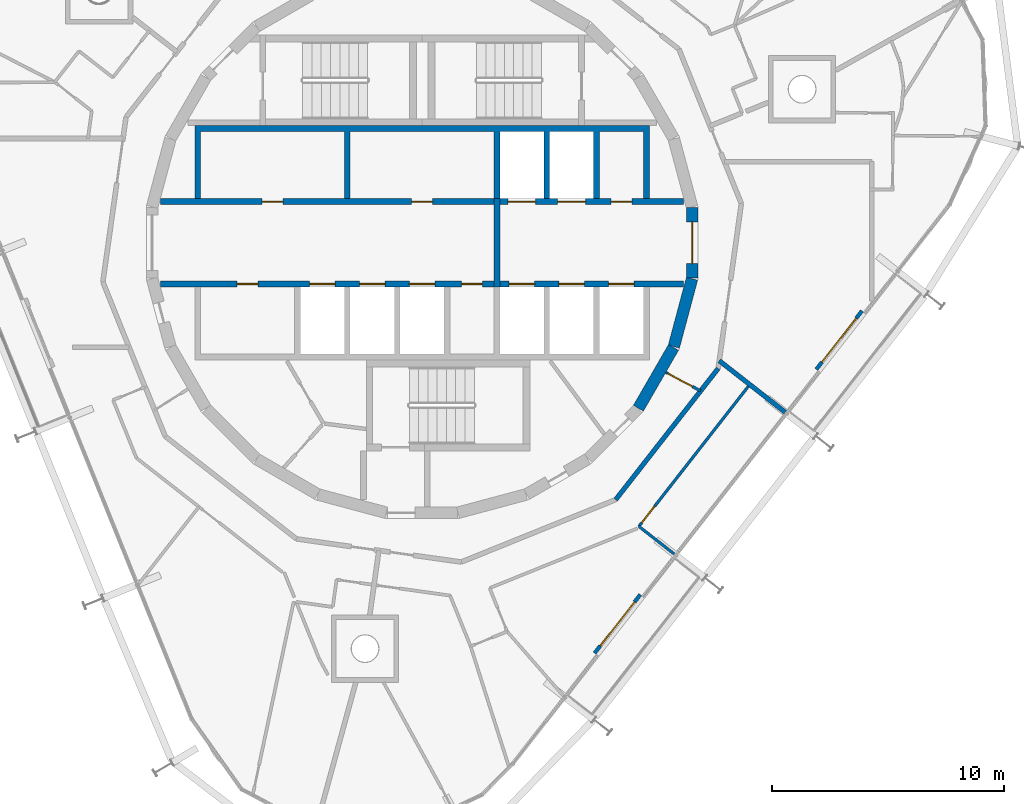
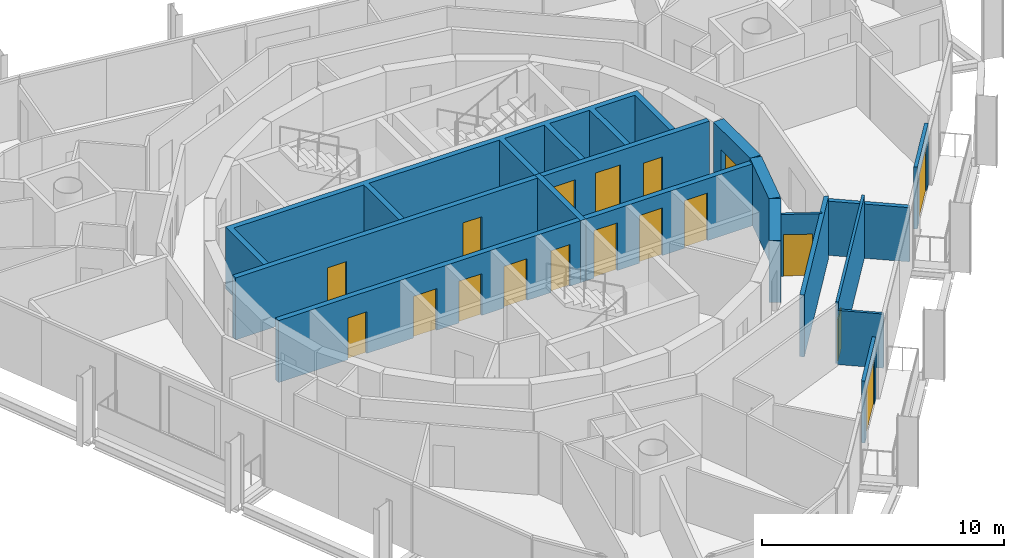
# One storey, part 11 of 15: 18 doors, 16 walls, 18 openings.
"""IFC4 building model written with IfcOpenShell, lengths in metres."""

from ifc_helpers import new_model, si_unit, direction, frame, frame_2d, origin, place, context, subcontext, project, spatial, polyline, rectangle, outline, extrude, material, layer, layer_set, type_object, element, fill, save


model = new_model("IFC4")

# Units and contexts
model_context = context("Model", 3, precision=1e-05, world=origin(), true_north=direction((0.0, 1.0)))
body_context = subcontext(model_context, "Body", "Model", "MODEL_VIEW")
ifc_project = project(units=[si_unit("LENGTHUNIT", "METRE"), si_unit("AREAUNIT", "SQUARE_METRE"), si_unit("VOLUMEUNIT", "CUBIC_METRE"), si_unit("PLANEANGLEUNIT", "RADIAN"), si_unit("MASSUNIT", "GRAM", prefix="KILO")], contexts=[model_context])

# Site, building, storey
site_placement = place(None, origin())
site = spatial("IfcSite", under=ifc_project, at=site_placement, CompositionType="ELEMENT")
building_placement = place(site_placement, origin())
building = spatial("IfcBuilding", under=site, at=building_placement, Name="Spindle Arch Residences", CompositionType="ELEMENT")
storey_placement = place(building_placement, frame((0.0, 0.0, 340.0)))
storey = spatial("IfcBuildingStorey", under=building, at=storey_placement, Name="L87", CompositionType="ELEMENT", Elevation=340.0)

# Walls
ifc_material_1 = material(Name="Concrete C50/60", Category="concrete")
ifc_layer_1 = layer(ifc_material_1, 0.5)
ifc_layer_set_1 = layer_set([ifc_layer_1], Name="Core outline wall 500")
wall_type_1 = type_object("IfcWallType", Name="Core outline wall 500", PredefinedType="SHEAR", material=ifc_layer_set_1)
for number, where, z_axis, x_axis, name in (
    (1, (9.32861328125, -7.13671875, 0.0), (0.0, 0.0, 1.0), (0.500087131594, 0.865975092491, 0.0), "Core outline wall 4"),
    (2, (10.858154296875, -4.479248046875, 0.0), (0.0, 0.0, 1.0), (0.258734743916, 0.965948410781, 0.0), "Core outline wall 5"),
):
    element("IfcWall", number, at=place(storey_placement, frame(where, z_axis=z_axis, x_axis=x_axis)), inside=storey, type_object=wall_type_1, Name=name, PredefinedType="SHEAR", context=body_context, shape_type="SweptSolid", body=[
        extrude(rectangle(XDim=3.03271484375, YDim=0.5, at=frame_2d((1.516357421875, 0.0))), origin(), (0.0, 0.0, 1.0), 3.1201171875),
    ])

# Wall, opening, door
wall_1_placement = place(storey_placement, frame((11.647216796875, -1.516357421875, 0.0), z_axis=(0.0, 0.0, 1.0), x_axis=(0.0, 1.0, 0.0)))
wall_1 = element("IfcWall", 3, at=wall_1_placement, inside=storey, type_object=wall_type_1, Name="Core outline wall 6", PredefinedType="SHEAR", context=body_context, shape_type="SweptSolid", body=[
    extrude(rectangle(XDim=3.03271484375, YDim=0.5, at=frame_2d((1.516357421875, 0.0))), origin(), (0.0, 0.0, 1.0), 3.1201171875),
])
opening_1_placement = place(wall_1_placement, frame((0.6162109375, 0.0, 0.0)))
opening_1 = element("IfcOpeningElement", 4, at=opening_1_placement, cuts=wall_1, Name="Opening R9A0-FE01", PredefinedType="OPENING", context=body_context, shape_type="SweptSolid", body=[
    extrude(rectangle(XDim=1.800048828125, YDim=2.10009765625, at=frame_2d((0.89990234375, 1.050048828125))), frame((0.0, 0.260009765625, 0.0), z_axis=(0.0, -1.0, 0.0), x_axis=(1.0, 0.0, 0.0)), (0.0, 0.0, 1.0), 0.52001953125),
])
ifc_material_2 = material(Name="Steel, fire-resisting door", Category="steel")
door_type_1 = type_object("IfcDoorType", Name="Fire-lift lobby door 1800x2100", OperationType="DOUBLE_DOOR_SINGLE_SWING", PredefinedType="DOOR", material=ifc_material_2)
door_1_placement = place(opening_1_placement, origin())
door_1 = element("IfcDoor", 5, at=door_1_placement, inside=storey, type_object=door_type_1, Name="Fire-lift lobby door R9A0-FE01", OperationType="DOUBLE_DOOR_SINGLE_SWING", OverallHeight=2.10009765625, OverallWidth=1.800048828125, PredefinedType="DOOR", context=body_context, shape_type="SweptSolid", body=[
    extrude(rectangle(XDim=1.800048828125, YDim=2.10009765625, at=frame_2d((0.89990234375, 1.050048828125))), frame((0.0, 0.02490234375, 0.0), z_axis=(0.0, -1.0, 0.0), x_axis=(1.0, 0.0, 0.0)), (0.0, 0.0, 1.0), 0.050048828125),
])
fill(opening_1, door_1)

ifc_material_3 = material(Name="Plasterboard on steel studs", Category="steel")
ifc_layer_2 = layer(ifc_material_3, 0.1201171875)
ifc_layer_set_2 = layer_set([ifc_layer_2], Name="Corridor division wall 120")
wall_type_2 = type_object("IfcWallType", Name="Corridor division wall 120", PredefinedType="PARTITIONING", material=ifc_layer_set_2)
wall_2_placement = place(storey_placement, frame((10.510986328125, -5.5888671875, 0.0), z_axis=(0.0, 0.0, 1.0), x_axis=(0.882959677414, -0.469448834337, 0.0)))
wall_2 = element("IfcWall", 6, at=wall_2_placement, inside=storey, type_object=wall_type_2, Name="Corridor division wall R9A0-W002", PredefinedType="PARTITIONING", context=body_context, shape_type="SweptSolid", body=[
    extrude(rectangle(XDim=1.7021484375, YDim=0.1201171875, at=frame_2d((0.85107421875, 0.0))), origin(), (0.0, 0.0, 1.0), 3.1201171875),
])
opening_2_placement = place(wall_2_placement, frame((0.10009765625, 0.0, 0.0)))
opening_2 = element("IfcOpeningElement", 7, at=opening_2_placement, cuts=wall_2, Name="Opening R9A0-CD02", PredefinedType="OPENING", context=body_context, shape_type="SweptSolid", body=[
    extrude(rectangle(XDim=1.199951171875, YDim=2.10009765625, at=frame_2d((0.60009765625, 1.050048828125))), frame((0.0, 0.070068359375, 0.0), z_axis=(0.0, -1.0, 0.0), x_axis=(1.0, 0.0, 0.0)), (0.0, 0.0, 1.0), 0.14013671875),
])
ifc_material_4 = material(Name="Steel, fire-resisting door", Category="steel")
door_type_2 = type_object("IfcDoorType", Name="Corridor division door 1200x2100", OperationType="NOTDEFINED", PredefinedType="DOOR", material=ifc_material_4)
door_2_placement = place(opening_2_placement, origin())
door_2 = element("IfcDoor", 8, at=door_2_placement, inside=storey, type_object=door_type_2, Name="Corridor division door R9A0-CD02", OperationType="DOUBLE_DOOR_SINGLE_SWING", OverallHeight=2.10009765625, OverallWidth=1.199951171875, PredefinedType="DOOR", context=body_context, shape_type="SweptSolid", body=[
    extrude(rectangle(XDim=1.199951171875, YDim=2.10009765625, at=frame_2d((0.60009765625, 1.050048828125))), frame((0.0, 0.02490234375, 0.0), z_axis=(0.0, -1.0, 0.0), x_axis=(1.0, 0.0, 0.0)), (0.0, 0.0, 1.0), 0.050048828125),
])
fill(opening_2, door_2)

# Walls
ifc_material_5 = material(Name="Calcium silicate block, plastered")
ifc_layer_3 = layer(ifc_material_5, 0.199951171875)
ifc_layer_set_3 = layer_set([ifc_layer_3], Name="Corridor wall 200")
wall_type_3 = type_object("IfcWallType", Name="Corridor wall 200", PredefinedType="STANDARD", material=ifc_layer_set_3)
wall_3_placement = place(storey_placement, frame((8.348876953125, -11.0791015625, 0.0), z_axis=(0.0, 0.0, 1.0), x_axis=(0.615669112324, 0.78800478687, 0.0)))
element("IfcWall", 9, at=wall_3_placement, inside=storey, type_object=wall_type_3, Name="Corridor wall R9A0-W008", PredefinedType="STANDARD", context=body_context, shape_type="SweptSolid", body=[
    extrude(rectangle(XDim=7.18115234375, YDim=0.199951171875, at=frame_2d((3.590576171875, 0.0))), origin(), (0.0, 0.0, 1.0), 3.1201171875),
])
ifc_material_6 = material(Name="Calcium silicate block, plastered")
ifc_layer_4 = layer(ifc_material_6, 0.199951171875)
ifc_layer_set_4 = layer_set([ifc_layer_4], Name="Fire-lift lobby bay wall 200 under beam 2730")
wall_type_4 = type_object("IfcWallType", Name="Fire-lift lobby bay wall 200 under beam 2730", PredefinedType="STANDARD", material=ifc_layer_set_4)
wall_4_placement = place(storey_placement, frame((12.81689453125, -5.086181640625, 0.0), z_axis=(0.0, 0.0, 1.0), x_axis=(0.787994616725, -0.615682129034, 0.0)))
element("IfcWall", 10, at=wall_4_placement, inside=storey, type_object=wall_type_4, Name="Fire-lift lobby bay wall R9A0-W022", PredefinedType="STANDARD", context=body_context, shape_type="SweptSolid", body=[
    extrude(rectangle(XDim=3.607177734375, YDim=0.199951171875, at=frame_2d((1.8037109375, 0.0))), origin(), (0.0, 0.0, 1.0), 2.72998046875),
])

# Wall, openings, doors
ifc_material_7 = material(Name="Concrete C40/50", Category="concrete")
ifc_layer_5 = layer(ifc_material_7, 0.25)
ifc_layer_set_5 = layer_set([ifc_layer_5], Name="Fire-lift lobby wall 250")
wall_type_5 = type_object("IfcWallType", Name="Fire-lift lobby wall 250", PredefinedType="SHEAR", material=ifc_layer_set_5)
wall_5_placement = place(storey_placement, frame((3.35009765625, 1.77490234375, 0.0), z_axis=(0.0, 0.0, 1.0), x_axis=(1.0, 0.0, 0.0)))
wall_5 = element("IfcWall", 11, at=wall_5_placement, inside=storey, type_object=wall_type_5, Name="Lift shaft front wall NE", PredefinedType="SHEAR", context=body_context, shape_type="SweptSolid", body=[
    extrude(rectangle(XDim=7.929931640625, YDim=0.25, at=frame_2d((3.96484375, 0.0))), origin(), (0.0, 0.0, 1.0), 3.1201171875),
])
opening_3_placement = place(wall_5_placement, frame((0.35009765625, 0.0, 0.0)))
opening_3 = element("IfcOpeningElement", 12, at=opening_3_placement, cuts=wall_5, Name="Opening R9A0-SLD01", PredefinedType="OPENING", context=body_context, shape_type="SweptSolid", body=[
    extrude(rectangle(XDim=1.199951171875, YDim=2.39990234375, at=frame_2d((0.60009765625, 1.199951171875))), frame((0.0, 0.135009765625, 0.0), z_axis=(0.0, -1.0, 0.0), x_axis=(1.0, 0.0, 0.0)), (0.0, 0.0, 1.0), 0.27001953125),
])
opening_4_placement = place(wall_5_placement, frame((2.5, 0.0, 0.0)))
opening_4 = element("IfcOpeningElement", 13, at=opening_4_placement, cuts=wall_5, Name="Opening R9A0-SLD02", PredefinedType="OPENING", context=body_context, shape_type="SweptSolid", body=[
    extrude(rectangle(XDim=1.199951171875, YDim=2.39990234375, at=frame_2d((0.60009765625, 1.199951171875))), frame((0.0, 0.135009765625, 0.0), z_axis=(0.0, -1.0, 0.0), x_axis=(1.0, 0.0, 0.0)), (0.0, 0.0, 1.0), 0.27001953125),
])
opening_5_placement = place(wall_5_placement, frame((4.800048828125, 0.0, 0.0)))
opening_5 = element("IfcOpeningElement", 14, at=opening_5_placement, cuts=wall_5, Name="Opening R9A0-WD03", PredefinedType="OPENING", context=body_context, shape_type="SweptSolid", body=[
    extrude(rectangle(XDim=0.89990234375, YDim=2.10009765625, at=frame_2d((0.449951171875, 1.050048828125))), frame((0.0, 0.135009765625, 0.0), z_axis=(0.0, -1.0, 0.0), x_axis=(1.0, 0.0, 0.0)), (0.0, 0.0, 1.0), 0.27001953125),
])
ifc_material_8 = material(Name="Steel, fire-resisting landing door", Category="steel")
door_type_3 = type_object("IfcDoorType", Name="Service lift landing door 1200x2400", OperationType="DOUBLE_DOOR_SLIDING", PredefinedType="DOOR", material=ifc_material_8)
door_3_placement = place(opening_3_placement, origin())
door_3 = element("IfcDoor", 15, at=door_3_placement, inside=storey, type_object=door_type_3, Name="Service lift landing door R9A0-SLD01", OperationType="DOUBLE_DOOR_SLIDING", OverallHeight=2.39990234375, OverallWidth=1.199951171875, PredefinedType="DOOR", context=body_context, shape_type="SweptSolid", body=[
    extrude(rectangle(XDim=1.199951171875, YDim=2.39990234375, at=frame_2d((0.60009765625, 1.199951171875))), frame((0.0, 0.02490234375, 0.0), z_axis=(0.0, -1.0, 0.0), x_axis=(1.0, 0.0, 0.0)), (0.0, 0.0, 1.0), 0.050048828125),
])
fill(opening_3, door_3)
door_4_placement = place(opening_4_placement, origin())
door_4 = element("IfcDoor", 16, at=door_4_placement, inside=storey, type_object=door_type_3, Name="Service lift landing door R9A0-SLD02", OperationType="DOUBLE_DOOR_SLIDING", OverallHeight=2.39990234375, OverallWidth=1.199951171875, PredefinedType="DOOR", context=body_context, shape_type="SweptSolid", body=[
    extrude(rectangle(XDim=1.199951171875, YDim=2.39990234375, at=frame_2d((0.60009765625, 1.199951171875))), frame((0.0, 0.02490234375, 0.0), z_axis=(0.0, -1.0, 0.0), x_axis=(1.0, 0.0, 0.0)), (0.0, 0.0, 1.0), 0.050048828125),
])
fill(opening_4, door_4)
ifc_material_9 = material(Name="Steel, fire-resisting door", Category="steel")
door_type_4 = type_object("IfcDoorType", Name="Service room door 900x2100", OperationType="SINGLE_SWING_LEFT", PredefinedType="DOOR", material=ifc_material_9)
door_5_placement = place(opening_5_placement, origin())
door_5 = element("IfcDoor", 17, at=door_5_placement, inside=storey, type_object=door_type_4, Name="Service room door R9A0-WD03", OperationType="SINGLE_SWING_LEFT", OverallHeight=2.10009765625, OverallWidth=0.89990234375, PredefinedType="DOOR", context=body_context, shape_type="SweptSolid", body=[
    extrude(rectangle(XDim=0.89990234375, YDim=2.10009765625, at=frame_2d((0.449951171875, 1.050048828125))), frame((0.0, 0.02490234375, 0.0), z_axis=(0.0, -1.0, 0.0), x_axis=(1.0, 0.0, 0.0)), (0.0, 0.0, 1.0), 0.050048828125),
])
fill(opening_5, door_5)

# Wall
wall_6_placement = place(storey_placement, frame((3.22509765625, -1.89990234375, 0.0), z_axis=(0.0, 0.0, 1.0), x_axis=(0.0, 1.0, 0.0)))
element("IfcWall", 18, at=wall_6_placement, inside=storey, type_object=wall_type_5, Name="Fire-fighting lobby partition", PredefinedType="SHEAR", context=body_context, shape_type="SweptSolid", body=[
    extrude(rectangle(XDim=3.7998046875, YDim=0.25, at=frame_2d((1.89990234375, 0.0))), origin(), (0.0, 0.0, 1.0), 3.1201171875),
])

# Wall, openings, doors
ifc_material_10 = material(Name="Concrete C50/60", Category="concrete")
ifc_layer_6 = layer(ifc_material_10, 0.25)
ifc_layer_set_6 = layer_set([ifc_layer_6], Name="Fire-lift shaft wall 250")
wall_type_6 = type_object("IfcWallType", Name="Fire-lift shaft wall 250", PredefinedType="SHEAR", material=ifc_layer_set_6)
wall_7_placement = place(storey_placement, frame((3.35009765625, -1.77490234375, 0.0), z_axis=(0.0, 0.0, 1.0), x_axis=(1.0, 0.0, 0.0)))
wall_7 = element("IfcWall", 19, at=wall_7_placement, inside=storey, type_object=wall_type_6, Name="Lift shaft front wall SE", PredefinedType="SHEAR", context=body_context, shape_type="SweptSolid", body=[
    extrude(rectangle(XDim=7.929931640625, YDim=0.25, at=frame_2d((3.96484375, 0.0))), origin(), (0.0, 0.0, 1.0), 3.1201171875),
])
opening_6_placement = place(wall_7_placement, frame((0.39990234375, 0.0, 0.0)))
opening_6 = element("IfcOpeningElement", 20, at=opening_6_placement, cuts=wall_7, Name="Opening R9A0-FLD01", PredefinedType="OPENING", context=body_context, shape_type="SweptSolid", body=[
    extrude(rectangle(XDim=1.10009765625, YDim=2.39990234375, at=frame_2d((0.550048828125, 1.199951171875))), frame((0.0, 0.135009765625, 0.0), z_axis=(0.0, -1.0, 0.0), x_axis=(1.0, 0.0, 0.0)), (0.0, 0.0, 1.0), 0.27001953125),
])
opening_7_placement = place(wall_7_placement, frame((2.550048828125, 0.0, 0.0)))
opening_7 = element("IfcOpeningElement", 21, at=opening_7_placement, cuts=wall_7, Name="Opening R9A0-FLD02", PredefinedType="OPENING", context=body_context, shape_type="SweptSolid", body=[
    extrude(rectangle(XDim=1.10009765625, YDim=2.39990234375, at=frame_2d((0.550048828125, 1.199951171875))), frame((0.0, 0.135009765625, 0.0), z_axis=(0.0, -1.0, 0.0), x_axis=(1.0, 0.0, 0.0)), (0.0, 0.0, 1.0), 0.27001953125),
])
opening_8_placement = place(wall_7_placement, frame((4.699951171875, 0.0, 0.0)))
opening_8 = element("IfcOpeningElement", 22, at=opening_8_placement, cuts=wall_7, Name="Opening R9A0-FLD03", PredefinedType="OPENING", context=body_context, shape_type="SweptSolid", body=[
    extrude(rectangle(XDim=1.10009765625, YDim=2.39990234375, at=frame_2d((0.550048828125, 1.199951171875))), frame((0.0, 0.135009765625, 0.0), z_axis=(0.0, -1.0, 0.0), x_axis=(1.0, 0.0, 0.0)), (0.0, 0.0, 1.0), 0.27001953125),
])
ifc_material_11 = material(Name="Steel, fire-resisting landing door", Category="steel")
door_type_5 = type_object("IfcDoorType", Name="Fire-fighting lift landing door 1100x2400", OperationType="DOUBLE_DOOR_SLIDING", PredefinedType="DOOR", material=ifc_material_11)
door_6_placement = place(opening_6_placement, origin())
door_6 = element("IfcDoor", 23, at=door_6_placement, inside=storey, type_object=door_type_5, Name="Fire-fighting lift landing door R9A0-FLD01", OperationType="DOUBLE_DOOR_SLIDING", OverallHeight=2.39990234375, OverallWidth=1.10009765625, PredefinedType="DOOR", context=body_context, shape_type="SweptSolid", body=[
    extrude(rectangle(XDim=1.10009765625, YDim=2.39990234375, at=frame_2d((0.550048828125, 1.199951171875))), frame((0.0, 0.02490234375, 0.0), z_axis=(0.0, -1.0, 0.0), x_axis=(1.0, 0.0, 0.0)), (0.0, 0.0, 1.0), 0.050048828125),
])
fill(opening_6, door_6)
door_7_placement = place(opening_7_placement, origin())
door_7 = element("IfcDoor", 24, at=door_7_placement, inside=storey, type_object=door_type_5, Name="Fire-fighting lift landing door R9A0-FLD02", OperationType="DOUBLE_DOOR_SLIDING", OverallHeight=2.39990234375, OverallWidth=1.10009765625, PredefinedType="DOOR", context=body_context, shape_type="SweptSolid", body=[
    extrude(rectangle(XDim=1.10009765625, YDim=2.39990234375, at=frame_2d((0.550048828125, 1.199951171875))), frame((0.0, 0.02490234375, 0.0), z_axis=(0.0, -1.0, 0.0), x_axis=(1.0, 0.0, 0.0)), (0.0, 0.0, 1.0), 0.050048828125),
])
fill(opening_7, door_7)
door_8_placement = place(opening_8_placement, origin())
door_8 = element("IfcDoor", 25, at=door_8_placement, inside=storey, type_object=door_type_5, Name="Fire-fighting lift landing door R9A0-FLD03", OperationType="DOUBLE_DOOR_SLIDING", OverallHeight=2.39990234375, OverallWidth=1.10009765625, PredefinedType="DOOR", context=body_context, shape_type="SweptSolid", body=[
    extrude(rectangle(XDim=1.10009765625, YDim=2.39990234375, at=frame_2d((0.550048828125, 1.199951171875))), frame((0.0, 0.02490234375, 0.0), z_axis=(0.0, -1.0, 0.0), x_axis=(1.0, 0.0, 0.0)), (0.0, 0.0, 1.0), 0.050048828125),
])
fill(opening_8, door_8)

# Wall, opening, door
ifc_material_12 = material(Name="Plasterboard on steel studs", Category="steel")
ifc_layer_7 = layer(ifc_material_12, 0.1201171875)
ifc_layer_set_7 = layer_set([ifc_layer_7], Name="Flat partition 120")
wall_type_7 = type_object("IfcWallType", Name="Flat partition 120", PredefinedType="PARTITIONING", material=ifc_layer_set_7)
wall_8_placement = place(storey_placement, frame((9.350830078125, -12.23291015625, 0.0), z_axis=(0.0, 0.0, 1.0), x_axis=(0.615678207218, 0.787997680933, 0.0)))
wall_8 = element("IfcWall", 26, at=wall_8_placement, inside=storey, type_object=wall_type_7, Name="Flat partition R9A0-W087", PredefinedType="PARTITIONING", context=body_context, shape_type="SweptSolid", body=[
    extrude(rectangle(XDim=7.765380859375, YDim=0.1201171875, at=frame_2d((3.8828125, 0.0))), origin(), (0.0, 0.0, 1.0), 3.1201171875),
])
opening_9_placement = place(wall_8_placement, frame((0.199951171875, 0.0, 0.0)))
opening_9 = element("IfcOpeningElement", 27, at=opening_9_placement, cuts=wall_8, Name="Opening R9A0-ID20", PredefinedType="OPENING", context=body_context, shape_type="SweptSolid", body=[
    extrude(rectangle(XDim=0.89990234375, YDim=2.10009765625, at=frame_2d((0.449951171875, 1.050048828125))), frame((0.0, 0.070068359375, 0.0), z_axis=(0.0, -1.0, 0.0), x_axis=(1.0, 0.0, 0.0)), (0.0, 0.0, 1.0), 0.14013671875),
])
ifc_material_13 = material(Name="Timber door set", Category="wood")
door_type_6 = type_object("IfcDoorType", Name="Room door 900x2100", OperationType="NOTDEFINED", PredefinedType="DOOR", material=ifc_material_13)
door_9_placement = place(opening_9_placement, origin())
door_9 = element("IfcDoor", 28, at=door_9_placement, inside=storey, type_object=door_type_6, Name="Room door R9A0-ID20", OperationType="SINGLE_SWING_LEFT", OverallHeight=2.10009765625, OverallWidth=0.89990234375, PredefinedType="DOOR", context=body_context, shape_type="SweptSolid", body=[
    extrude(rectangle(XDim=0.89990234375, YDim=2.10009765625, at=frame_2d((0.449951171875, 1.050048828125))), frame((0.0, 0.02490234375, 0.0), z_axis=(0.0, -1.0, 0.0), x_axis=(1.0, 0.0, 0.0)), (0.0, 0.0, 1.0), 0.050048828125),
])
fill(opening_9, door_9)

# Wall
ifc_material_14 = material(Name="Plasterboard on steel studs", Category="steel")
ifc_layer_8 = layer(ifc_material_14, 0.1201171875)
ifc_layer_set_8 = layer_set([ifc_layer_8], Name="Flat partition 120 under beam 2730")
wall_type_8 = type_object("IfcWallType", Name="Flat partition 120 under beam 2730", PredefinedType="PARTITIONING", material=ifc_layer_set_8)
wall_9_placement = place(storey_placement, frame((10.87841796875, -13.426513671875, 0.0), z_axis=(0.0, 0.0, 1.0), x_axis=(-0.787980458379, 0.615700249483, 0.0)))
element("IfcWall", 29, at=wall_9_placement, inside=storey, type_object=wall_type_8, Name="Flat partition R9A0-W091", PredefinedType="PARTITIONING", context=body_context, shape_type="SweptSolid", body=[
    extrude(rectangle(XDim=1.938720703125, YDim=0.1201171875, at=frame_2d((0.96923828125, 0.0))), origin(), (0.0, 0.0, 1.0), 2.72998046875),
])

# Wall, opening, door
ifc_material_15 = material(Name="Non-combustible mineral wool insulated aluminium faced external wall (K0)", Category="aluminium")
ifc_layer_9 = layer(ifc_material_15, 0.159912109375)
ifc_layer_set_9 = layer_set([ifc_layer_9], Name="Insulated external wall panel 160")
wall_type_9 = type_object("IfcWallType", Name="Insulated external wall panel 160", PredefinedType="STANDARD", material=ifc_layer_set_9)
wall_10_placement = place(storey_placement, frame((7.439697265625, -17.69775390625, 0.0), z_axis=(0.0, 0.0, 1.0), x_axis=(0.615666248856, 0.788007024093, 0.0)))
wall_10 = element("IfcWall", 30, at=wall_10_placement, inside=storey, type_object=wall_type_9, Name="External wall L87 bay 19", PredefinedType="STANDARD", context=body_context, shape_type="SweptSolid", body=[
    extrude(rectangle(XDim=3.2001953125, YDim=0.159912109375, at=frame_2d((1.60009765625, 0.0))), origin(), (0.0, 0.0, 1.0), 3.1201171875),
])
opening_10_placement = place(wall_10_placement, frame((0.39990234375, 0.0, 0.0)))
opening_10 = element("IfcOpeningElement", 31, at=opening_10_placement, cuts=wall_10, Name="Opening BD19", PredefinedType="OPENING", context=body_context, shape_type="SweptSolid", body=[
    extrude(rectangle(XDim=2.39990234375, YDim=2.39990234375, at=frame_2d((1.199951171875, 1.199951171875))), frame((0.0, 0.08984375, 0.0), z_axis=(0.0, -1.0, 0.0), x_axis=(1.0, 0.0, 0.0)), (0.0, 0.0, 1.0), 0.179931640625),
])
ifc_material_16 = material(Name="Bronze aluminium frame, tinted double glazing", Category="aluminium")
door_type_7 = type_object("IfcDoorType", Name="Sliding glazed balcony door 2400x2400", OperationType="DOUBLE_DOOR_SLIDING", PredefinedType="DOOR", material=ifc_material_16)
door_10_placement = place(opening_10_placement, origin())
door_10 = element("IfcDoor", 32, at=door_10_placement, inside=storey, type_object=door_type_7, Name="Balcony door BD19", OperationType="DOUBLE_DOOR_SLIDING", OverallHeight=2.39990234375, OverallWidth=2.39990234375, PredefinedType="DOOR", context=body_context, shape_type="SweptSolid", body=[
    extrude(rectangle(XDim=2.39990234375, YDim=2.39990234375, at=frame_2d((1.199951171875, 1.199951171875))), frame((0.0, 0.02490234375, 0.0), z_axis=(0.0, -1.0, 0.0), x_axis=(1.0, 0.0, 0.0)), (0.0, 0.0, 1.0), 0.050048828125),
])
fill(opening_10, door_10)

wall_11_placement = place(storey_placement, frame((17.001708984375, -5.458984375, 0.0), z_axis=(0.0, 0.0, 1.0), x_axis=(0.615666248856, 0.788007024093, 0.0)))
wall_11 = element("IfcWall", 33, at=wall_11_placement, inside=storey, type_object=wall_type_9, Name="External wall L87 bay 1", PredefinedType="STANDARD", context=body_context, shape_type="SweptSolid", body=[
    extrude(rectangle(XDim=3.2001953125, YDim=0.159912109375, at=frame_2d((1.60009765625, 0.0))), origin(), (0.0, 0.0, 1.0), 3.1201171875),
])
opening_11_placement = place(wall_11_placement, frame((0.39990234375, 0.0, 0.0)))
opening_11 = element("IfcOpeningElement", 34, at=opening_11_placement, cuts=wall_11, Name="Opening BD01", PredefinedType="OPENING", context=body_context, shape_type="SweptSolid", body=[
    extrude(rectangle(XDim=2.39990234375, YDim=2.39990234375, at=frame_2d((1.199951171875, 1.199951171875))), frame((0.0, 0.08984375, 0.0), z_axis=(0.0, -1.0, 0.0), x_axis=(1.0, 0.0, 0.0)), (0.0, 0.0, 1.0), 0.179931640625),
])
door_11_placement = place(opening_11_placement, origin())
door_11 = element("IfcDoor", 35, at=door_11_placement, inside=storey, type_object=door_type_7, Name="Balcony door BD01", OperationType="DOUBLE_DOOR_SLIDING", OverallHeight=2.39990234375, OverallWidth=2.39990234375, PredefinedType="DOOR", context=body_context, shape_type="SweptSolid", body=[
    extrude(rectangle(XDim=2.39990234375, YDim=2.39990234375, at=frame_2d((1.199951171875, 1.199951171875))), frame((0.0, 0.02490234375, 0.0), z_axis=(0.0, -1.0, 0.0), x_axis=(1.0, 0.0, 0.0)), (0.0, 0.0, 1.0), 0.050048828125),
])
fill(opening_11, door_11)

# Wall, openings, doors
ifc_material_17 = material(Name="Concrete C50/60", Category="concrete")
ifc_layer_10 = layer(ifc_material_17, 0.25)
ifc_layer_set_10 = layer_set([ifc_layer_10], Name="Lift shaft wall 250")
wall_type_10 = type_object("IfcWallType", Name="Lift shaft wall 250", PredefinedType="SHEAR", material=ifc_layer_set_10)
wall_12_placement = place(storey_placement, frame((-11.280029296875, 1.77490234375, 0.0), z_axis=(0.0, 0.0, 1.0), x_axis=(1.0, 0.0, 0.0)))
wall_12 = element("IfcWall", 36, at=wall_12_placement, inside=storey, type_object=wall_type_10, Name="Lift shaft front wall NW", PredefinedType="SHEAR", context=body_context, shape_type="SweptSolid", body=[
    extrude(rectangle(XDim=14.380126953125, YDim=0.25, at=frame_2d((7.18994140625, 0.0))), origin(), (0.0, 0.0, 1.0), 3.1201171875),
])
opening_12_placement = place(wall_12_placement, frame((4.3798828125, 0.0, 0.0)))
opening_12 = element("IfcOpeningElement", 37, at=opening_12_placement, cuts=wall_12, Name="Opening R9A0-WD01", PredefinedType="OPENING", context=body_context, shape_type="SweptSolid", body=[
    extrude(rectangle(XDim=0.89990234375, YDim=2.10009765625, at=frame_2d((0.449951171875, 1.050048828125))), frame((0.0, 0.135009765625, 0.0), z_axis=(0.0, -1.0, 0.0), x_axis=(1.0, 0.0, 0.0)), (0.0, 0.0, 1.0), 0.27001953125),
])
opening_13_placement = place(wall_12_placement, frame((10.830078125, 0.0, 0.0)))
opening_13 = element("IfcOpeningElement", 38, at=opening_13_placement, cuts=wall_12, Name="Opening R9A0-WD02", PredefinedType="OPENING", context=body_context, shape_type="SweptSolid", body=[
    extrude(rectangle(XDim=0.89990234375, YDim=2.10009765625, at=frame_2d((0.449951171875, 1.050048828125))), frame((0.0, 0.135009765625, 0.0), z_axis=(0.0, -1.0, 0.0), x_axis=(1.0, 0.0, 0.0)), (0.0, 0.0, 1.0), 0.27001953125),
])
door_12_placement = place(opening_12_placement, origin())
door_12 = element("IfcDoor", 39, at=door_12_placement, inside=storey, type_object=door_type_4, Name="Service room door R9A0-WD01", OperationType="SINGLE_SWING_LEFT", OverallHeight=2.10009765625, OverallWidth=0.89990234375, PredefinedType="DOOR", context=body_context, shape_type="SweptSolid", body=[
    extrude(rectangle(XDim=0.89990234375, YDim=2.10009765625, at=frame_2d((0.449951171875, 1.050048828125))), frame((0.0, 0.02490234375, 0.0), z_axis=(0.0, -1.0, 0.0), x_axis=(1.0, 0.0, 0.0)), (0.0, 0.0, 1.0), 0.050048828125),
])
fill(opening_12, door_12)
door_13_placement = place(opening_13_placement, origin())
door_13 = element("IfcDoor", 40, at=door_13_placement, inside=storey, type_object=door_type_4, Name="Service room door R9A0-WD02", OperationType="SINGLE_SWING_RIGHT", OverallHeight=2.10009765625, OverallWidth=0.89990234375, PredefinedType="DOOR", context=body_context, shape_type="SweptSolid", body=[
    extrude(rectangle(XDim=0.89990234375, YDim=2.10009765625, at=frame_2d((0.449951171875, 1.050048828125))), frame((0.0, 0.02490234375, 0.0), z_axis=(0.0, -1.0, 0.0), x_axis=(1.0, 0.0, 0.0)), (0.0, 0.0, 1.0), 0.050048828125),
])
fill(opening_13, door_13)

wall_13_placement = place(storey_placement, frame((-11.280029296875, -1.77490234375, 0.0), z_axis=(0.0, 0.0, 1.0), x_axis=(1.0, 0.0, 0.0)))
wall_13 = element("IfcWall", 41, at=wall_13_placement, inside=storey, type_object=wall_type_10, Name="Lift shaft front wall SW", PredefinedType="SHEAR", context=body_context, shape_type="SweptSolid", body=[
    extrude(rectangle(XDim=14.380126953125, YDim=0.25, at=frame_2d((7.18994140625, 0.0))), origin(), (0.0, 0.0, 1.0), 3.1201171875),
])
opening_14_placement = place(wall_13_placement, frame((6.429931640625, 0.0, 0.0)))
opening_14 = element("IfcOpeningElement", 42, at=opening_14_placement, cuts=wall_13, Name="Opening R9A0-LD01", PredefinedType="OPENING", context=body_context, shape_type="SweptSolid", body=[
    extrude(rectangle(XDim=1.10009765625, YDim=2.10009765625, at=frame_2d((0.550048828125, 1.050048828125))), frame((0.0, 0.135009765625, 0.0), z_axis=(0.0, -1.0, 0.0), x_axis=(1.0, 0.0, 0.0)), (0.0, 0.0, 1.0), 0.27001953125),
])
opening_15_placement = place(wall_13_placement, frame((8.580078125, 0.0, 0.0)))
opening_15 = element("IfcOpeningElement", 43, at=opening_15_placement, cuts=wall_13, Name="Opening R9A0-LD02", PredefinedType="OPENING", context=body_context, shape_type="SweptSolid", body=[
    extrude(rectangle(XDim=1.10009765625, YDim=2.10009765625, at=frame_2d((0.550048828125, 1.050048828125))), frame((0.0, 0.135009765625, 0.0), z_axis=(0.0, -1.0, 0.0), x_axis=(1.0, 0.0, 0.0)), (0.0, 0.0, 1.0), 0.27001953125),
])
opening_16_placement = place(wall_13_placement, frame((10.72998046875, 0.0, 0.0)))
opening_16 = element("IfcOpeningElement", 44, at=opening_16_placement, cuts=wall_13, Name="Opening R9A0-LD03", PredefinedType="OPENING", context=body_context, shape_type="SweptSolid", body=[
    extrude(rectangle(XDim=1.10009765625, YDim=2.10009765625, at=frame_2d((0.550048828125, 1.050048828125))), frame((0.0, 0.135009765625, 0.0), z_axis=(0.0, -1.0, 0.0), x_axis=(1.0, 0.0, 0.0)), (0.0, 0.0, 1.0), 0.27001953125),
])
opening_17_placement = place(wall_13_placement, frame((3.304931640625, 0.0, 0.0)))
opening_17 = element("IfcOpeningElement", 45, at=opening_17_placement, cuts=wall_13, Name="Opening R9A0-WD04", PredefinedType="OPENING", context=body_context, shape_type="SweptSolid", body=[
    extrude(rectangle(XDim=0.89990234375, YDim=2.10009765625, at=frame_2d((0.449951171875, 1.050048828125))), frame((0.0, 0.135009765625, 0.0), z_axis=(0.0, -1.0, 0.0), x_axis=(1.0, 0.0, 0.0)), (0.0, 0.0, 1.0), 0.27001953125),
])
opening_18_placement = place(wall_13_placement, frame((12.97998046875, 0.0, 0.0)))
opening_18 = element("IfcOpeningElement", 46, at=opening_18_placement, cuts=wall_13, Name="Opening R9A0-WD05", PredefinedType="OPENING", context=body_context, shape_type="SweptSolid", body=[
    extrude(rectangle(XDim=0.89990234375, YDim=2.10009765625, at=frame_2d((0.449951171875, 1.050048828125))), frame((0.0, 0.135009765625, 0.0), z_axis=(0.0, -1.0, 0.0), x_axis=(1.0, 0.0, 0.0)), (0.0, 0.0, 1.0), 0.27001953125),
])
ifc_material_18 = material(Name="Steel, fire-resisting landing door", Category="steel")
door_type_8 = type_object("IfcDoorType", Name="Lift landing door 1100x2100", OperationType="DOUBLE_DOOR_SLIDING", PredefinedType="DOOR", material=ifc_material_18)
door_14_placement = place(opening_14_placement, origin())
door_14 = element("IfcDoor", 47, at=door_14_placement, inside=storey, type_object=door_type_8, Name="Lift landing door R9A0-LD01", OperationType="DOUBLE_DOOR_SLIDING", OverallHeight=2.10009765625, OverallWidth=1.10009765625, PredefinedType="DOOR", context=body_context, shape_type="SweptSolid", body=[
    extrude(rectangle(XDim=1.10009765625, YDim=2.10009765625, at=frame_2d((0.550048828125, 1.050048828125))), frame((0.0, 0.02490234375, 0.0), z_axis=(0.0, -1.0, 0.0), x_axis=(1.0, 0.0, 0.0)), (0.0, 0.0, 1.0), 0.050048828125),
])
fill(opening_14, door_14)
door_15_placement = place(opening_15_placement, origin())
door_15 = element("IfcDoor", 48, at=door_15_placement, inside=storey, type_object=door_type_8, Name="Lift landing door R9A0-LD02", OperationType="DOUBLE_DOOR_SLIDING", OverallHeight=2.10009765625, OverallWidth=1.10009765625, PredefinedType="DOOR", context=body_context, shape_type="SweptSolid", body=[
    extrude(rectangle(XDim=1.10009765625, YDim=2.10009765625, at=frame_2d((0.550048828125, 1.050048828125))), frame((0.0, 0.02490234375, 0.0), z_axis=(0.0, -1.0, 0.0), x_axis=(1.0, 0.0, 0.0)), (0.0, 0.0, 1.0), 0.050048828125),
])
fill(opening_15, door_15)
door_16_placement = place(opening_16_placement, origin())
door_16 = element("IfcDoor", 49, at=door_16_placement, inside=storey, type_object=door_type_8, Name="Lift landing door R9A0-LD03", OperationType="DOUBLE_DOOR_SLIDING", OverallHeight=2.10009765625, OverallWidth=1.10009765625, PredefinedType="DOOR", context=body_context, shape_type="SweptSolid", body=[
    extrude(rectangle(XDim=1.10009765625, YDim=2.10009765625, at=frame_2d((0.550048828125, 1.050048828125))), frame((0.0, 0.02490234375, 0.0), z_axis=(0.0, -1.0, 0.0), x_axis=(1.0, 0.0, 0.0)), (0.0, 0.0, 1.0), 0.050048828125),
])
fill(opening_16, door_16)
door_17_placement = place(opening_17_placement, origin())
door_17 = element("IfcDoor", 50, at=door_17_placement, inside=storey, type_object=door_type_4, Name="Service room door R9A0-WD04", OperationType="SINGLE_SWING_RIGHT", OverallHeight=2.10009765625, OverallWidth=0.89990234375, PredefinedType="DOOR", context=body_context, shape_type="SweptSolid", body=[
    extrude(rectangle(XDim=0.89990234375, YDim=2.10009765625, at=frame_2d((0.449951171875, 1.050048828125))), frame((0.0, 0.02490234375, 0.0), z_axis=(0.0, -1.0, 0.0), x_axis=(1.0, 0.0, 0.0)), (0.0, 0.0, 1.0), 0.050048828125),
])
fill(opening_17, door_17)
door_18_placement = place(opening_18_placement, origin())
door_18 = element("IfcDoor", 51, at=door_18_placement, inside=storey, type_object=door_type_4, Name="Service room door R9A0-WD05", OperationType="SINGLE_SWING_LEFT", OverallHeight=2.10009765625, OverallWidth=0.89990234375, PredefinedType="DOOR", context=body_context, shape_type="SweptSolid", body=[
    extrude(rectangle(XDim=0.89990234375, YDim=2.10009765625, at=frame_2d((0.449951171875, 1.050048828125))), frame((0.0, 0.02490234375, 0.0), z_axis=(0.0, -1.0, 0.0), x_axis=(1.0, 0.0, 0.0)), (0.0, 0.0, 1.0), 0.050048828125),
])
fill(opening_18, door_18)

# Wall
ifc_material_19 = material(Name="Concrete C50/60", Category="concrete")
wall_type_11 = type_object("IfcWallType", Name="Lift shaft wall profile", PredefinedType="SHEAR", material=ifc_material_19)
wall_14_placement = place(storey_placement, origin())
element("IfcWall", 52, at=wall_14_placement, inside=storey, type_object=wall_type_11, Name="Lift shaft walls N", PredefinedType="SHEAR", context=body_context, shape_type="SweptSolid", body=[
    extrude(outline(polyline([(-9.800048828125, 1.89990234375), (-9.550048828125, 1.89990234375), (-9.550048828125, 4.800048828125), (-3.35009765625, 4.800048828125), (-3.35009765625, 1.89990234375), (-3.10009765625, 1.89990234375), (-3.10009765625, 4.800048828125), (3.10009765625, 4.800048828125), (3.10009765625, 1.89990234375), (3.35009765625, 1.89990234375), (3.35009765625, 4.800048828125), (5.25, 4.800048828125), (5.25, 1.89990234375), (5.5, 1.89990234375), (5.5, 4.800048828125), (7.39990234375, 4.800048828125), (7.39990234375, 1.89990234375), (7.64990234375, 1.89990234375), (7.64990234375, 4.800048828125), (9.550048828125, 4.800048828125), (9.550048828125, 1.89990234375), (9.800048828125, 1.89990234375), (9.800048828125, 4.800048828125), (9.800048828125, 5.050048828125), (-9.800048828125, 5.050048828125), (-9.800048828125, 4.800048828125), (-9.800048828125, 1.89990234375)])), origin(), (0.0, 0.0, 1.0), 3.1201171875),
])

save(model, "model.ifc")
